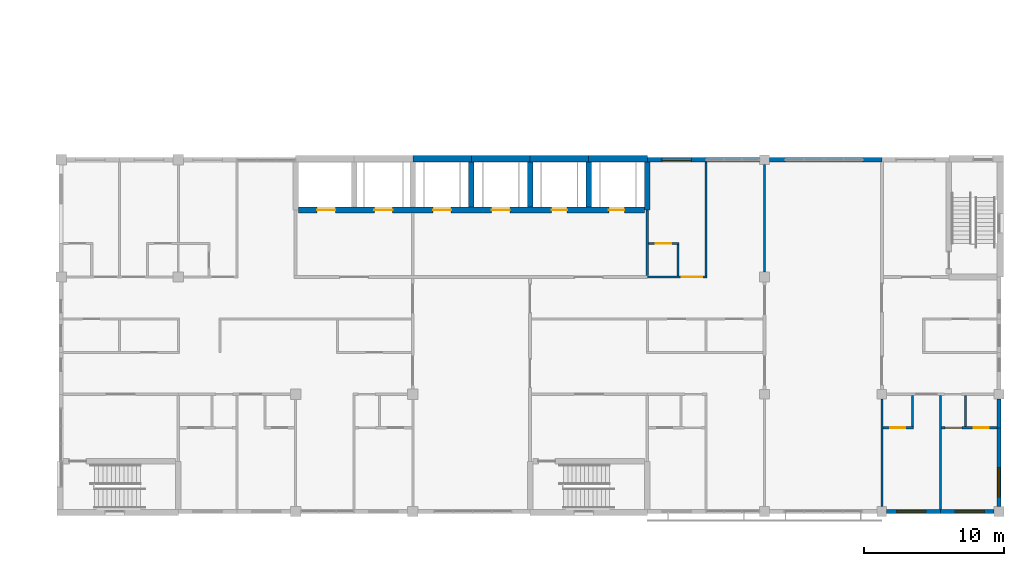
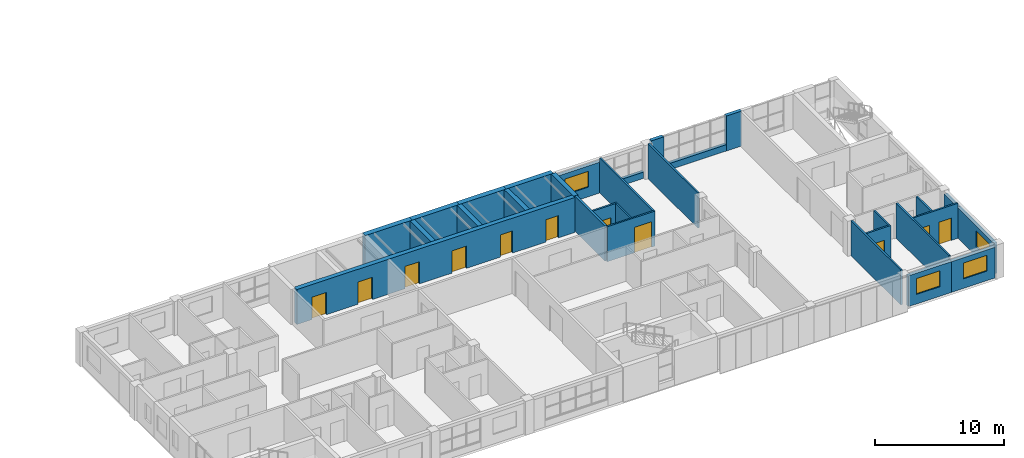
# One storey, part 39 of 48: 30 walls, 11 doors, 4 windows, 15 openings.
"""IFC4 building model written with IfcOpenShell, lengths in metres."""

from ifc_helpers import new_model, si_unit, direction, frame, frame_2d, origin, place, context, subcontext, project, spatial, rectangle, extrude, material, layer, layer_set, type_object, element, fill, save


model = new_model("IFC4")

# Units and contexts
model_context = context("Model", 3, precision=1e-05, world=origin(), true_north=direction((0.0, 1.0)))
body_context = subcontext(model_context, "Body", "Model", "MODEL_VIEW")
ifc_project = project(units=[si_unit("LENGTHUNIT", "METRE"), si_unit("AREAUNIT", "SQUARE_METRE"), si_unit("VOLUMEUNIT", "CUBIC_METRE"), si_unit("PLANEANGLEUNIT", "RADIAN"), si_unit("MASSUNIT", "GRAM", prefix="KILO")], contexts=[model_context])

# Site, building, storey
site_placement = place(None, origin())
site = spatial("IfcSite", under=ifc_project, at=site_placement, CompositionType="ELEMENT")
building_placement = place(site_placement, origin())
building = spatial("IfcBuilding", under=site, at=building_placement, Name="Yavir Park General Hospital", CompositionType="ELEMENT")
storey_placement = place(building_placement, frame((0.0, 0.0, 26.10009765625)))
storey = spatial("IfcBuildingStorey", under=building, at=storey_placement, Name="L06", CompositionType="ELEMENT", Elevation=26.10009765625)

# Wall
ifc_material_1 = material(Name="Double gypsum board fire partition on steel studs", Category="steel")
ifc_layer_1 = layer(ifc_material_1, 0.199951171875)
ifc_layer_set_1 = layer_set([ifc_layer_1], Name="Double gypsum board fire partition on steel studs")
wall_type_1 = type_object("IfcWallType", Name="Fire-rated partition 200, EI 60", PredefinedType="PARTITIONING", material=ifc_layer_set_1)
wall_1_placement = place(storey_placement, frame((142.800048828125, 16.89990234375, 0.0), z_axis=(0.0, 0.0, 1.0), x_axis=(0.0, 1.0, 0.0)))
element("IfcWall", 1, at=wall_1_placement, inside=storey, type_object=wall_type_1, Name="FP20 L06-243", PredefinedType="PARTITIONING", context=body_context, shape_type="SweptSolid", body=[
    extrude(rectangle(XDim=4.7001953125, YDim=0.199951171875, at=frame_2d((2.35009765625, 0.0))), origin(), (0.0, 0.0, 1.0), 3.2998046875),
])

# Wall, opening, door
ifc_material_2 = material(Name="Gypsum board partition on steel studs", Category="steel")
ifc_layer_2 = layer(ifc_material_2, 0.14990234375)
ifc_layer_set_2 = layer_set([ifc_layer_2], Name="Gypsum board partition on steel studs")
wall_type_2 = type_object("IfcWallType", Name="Gypsum board partition 150", PredefinedType="PARTITIONING", material=ifc_layer_set_2)
wall_2_placement = place(storey_placement, frame((159.675048828125, 6.0, 0.0), z_axis=(0.0, 0.0, 1.0), x_axis=(1.0, 0.0, 0.0)))
wall_2 = element("IfcWall", 2, at=wall_2_placement, inside=storey, type_object=wall_type_2, Name="P15 L06-012", PredefinedType="PARTITIONING", context=body_context, shape_type="SweptSolid", body=[
    extrude(rectangle(XDim=2.199951171875, YDim=0.14990234375, at=frame_2d((1.10009765625, 0.0))), origin(), (0.0, 0.0, 1.0), 3.2998046875),
])
opening_1_placement = place(wall_2_placement, frame((0.512451171875, 0.0, 0.0)))
opening_1 = element("IfcOpeningElement", 3, at=opening_1_placement, cuts=wall_2, Name="Opening L06.D016", PredefinedType="OPENING", context=body_context, shape_type="SweptSolid", body=[
    extrude(rectangle(XDim=1.10009765625, YDim=2.10009765625, at=frame_2d((0.550048828125, 1.050048828125))), frame((0.0, 0.0849609375, 0.0), z_axis=(0.0, -1.0, 0.0), x_axis=(1.0, 0.0, 0.0)), (0.0, 0.0, 1.0), 0.169921875),
])
ifc_material_3 = material(Name="Hollow metal frame, solid-core timber leaf", Category="wood")
door_type_1 = type_object("IfcDoorType", Name="Single swing door 1100 x 2100", OperationType="SINGLE_SWING_LEFT", PredefinedType="DOOR", material=ifc_material_3)
door_1_placement = place(opening_1_placement, origin())
door_1 = element("IfcDoor", 4, at=door_1_placement, inside=storey, type_object=door_type_1, Name="L06.D016", OperationType="SINGLE_SWING_LEFT", OverallHeight=2.10009765625, OverallWidth=1.10009765625, PredefinedType="DOOR", context=body_context, shape_type="SweptSolid", body=[
    extrude(rectangle(XDim=1.10009765625, YDim=2.10009765625, at=frame_2d((0.550048828125, 1.050048828125))), frame((0.0, 0.02490234375, 0.0), z_axis=(0.0, -1.0, 0.0), x_axis=(1.0, 0.0, 0.0)), (0.0, 0.0, 1.0), 0.050048828125),
])
fill(opening_1, door_1)

# Wall, openings, doors
wall_3_placement = place(storey_placement, frame((163.875, 6.0, 0.0), z_axis=(0.0, 0.0, 1.0), x_axis=(1.0, 0.0, 0.0)))
wall_3 = element("IfcWall", 5, at=wall_3_placement, inside=storey, type_object=wall_type_2, Name="P15 L06-013", PredefinedType="PARTITIONING", context=body_context, shape_type="SweptSolid", body=[
    extrude(rectangle(XDim=3.97509765625, YDim=0.14990234375, at=frame_2d((1.987548828125, 0.0))), origin(), (0.0, 0.0, 1.0), 3.2998046875),
])
opening_2_placement = place(wall_3_placement, frame((0.262451171875, 0.0, 0.0)))
opening_2 = element("IfcOpeningElement", 6, at=opening_2_placement, cuts=wall_3, Name="Opening L06.D017", PredefinedType="OPENING", context=body_context, shape_type="SweptSolid", body=[
    extrude(rectangle(XDim=1.199951171875, YDim=2.10009765625, at=frame_2d((0.60009765625, 1.050048828125))), frame((0.0, 0.0849609375, 0.0), z_axis=(0.0, -1.0, 0.0), x_axis=(1.0, 0.0, 0.0)), (0.0, 0.0, 1.0), 0.169921875),
])
opening_3_placement = place(wall_3_placement, frame((2.300048828125, 0.0, 0.0)))
opening_3 = element("IfcOpeningElement", 7, at=opening_3_placement, cuts=wall_3, Name="Opening L06.D018", PredefinedType="OPENING", context=body_context, shape_type="SweptSolid", body=[
    extrude(rectangle(XDim=1.10009765625, YDim=2.10009765625, at=frame_2d((0.550048828125, 1.050048828125))), frame((0.0, 0.0849609375, 0.0), z_axis=(0.0, -1.0, 0.0), x_axis=(1.0, 0.0, 0.0)), (0.0, 0.0, 1.0), 0.169921875),
])
ifc_material_4 = material(Name="Sealed steel door leaf, compression seals", Category="steel")
door_type_2 = type_object("IfcDoorType", Name="Isolation airlock door 1200 x 2100", OperationType="SINGLE_SWING_LEFT", PredefinedType="DOOR", material=ifc_material_4)
door_2_placement = place(opening_2_placement, origin())
door_2 = element("IfcDoor", 8, at=door_2_placement, inside=storey, type_object=door_type_2, Name="L06.D017", OperationType="SINGLE_SWING_LEFT", OverallHeight=2.10009765625, OverallWidth=1.199951171875, PredefinedType="DOOR", context=body_context, shape_type="SweptSolid", body=[
    extrude(rectangle(XDim=1.199951171875, YDim=2.10009765625, at=frame_2d((0.60009765625, 1.050048828125))), frame((0.0, 0.050048828125, 0.0), z_axis=(0.0, -1.0, 0.0), x_axis=(1.0, 0.0, 0.0)), (0.0, 0.0, 1.0), 0.10009765625),
])
fill(opening_2, door_2)
door_3_placement = place(opening_3_placement, origin())
door_3 = element("IfcDoor", 9, at=door_3_placement, inside=storey, type_object=door_type_1, Name="L06.D018", OperationType="SINGLE_SWING_RIGHT", OverallHeight=2.10009765625, OverallWidth=1.10009765625, PredefinedType="DOOR", context=body_context, shape_type="SweptSolid", body=[
    extrude(rectangle(XDim=1.10009765625, YDim=2.10009765625, at=frame_2d((0.550048828125, 1.050048828125))), frame((0.0, 0.02490234375, 0.0), z_axis=(0.0, -1.0, 0.0), x_axis=(1.0, 0.0, 0.0)), (0.0, 0.0, 1.0), 0.050048828125),
])
fill(opening_3, door_3)

# Wall, opening, door
wall_4_placement = place(storey_placement, frame((142.800048828125, 16.800048828125, 0.0), z_axis=(0.0, 0.0, 1.0), x_axis=(1.0, 0.0, 0.0)))
wall_4 = element("IfcWall", 10, at=wall_4_placement, inside=storey, type_object=wall_type_2, Name="P15 L06-045", PredefinedType="PARTITIONING", context=body_context, shape_type="SweptSolid", body=[
    extrude(rectangle(XDim=4.27490234375, YDim=0.14990234375, at=frame_2d((2.137451171875, 0.0))), origin(), (0.0, 0.0, 1.0), 3.2998046875),
])
opening_4_placement = place(wall_4_placement, frame((2.449951171875, 0.0, 0.0)))
opening_4 = element("IfcOpeningElement", 11, at=opening_4_placement, cuts=wall_4, Name="Opening L06.D050", PredefinedType="OPENING", context=body_context, shape_type="SweptSolid", body=[
    extrude(rectangle(XDim=1.5, YDim=2.39990234375, at=frame_2d((0.75, 1.199951171875))), frame((0.0, 0.0849609375, 0.0), z_axis=(0.0, -1.0, 0.0), x_axis=(1.0, 0.0, 0.0)), (0.0, 0.0, 1.0), 0.169921875),
])
ifc_material_5 = material(Name="Solid-core timber leaves, push plates, kick plates", Category="wood")
door_type_3 = type_object("IfcDoorType", Name="Bed door, unequal leaves 1500 x 2400", OperationType="DOUBLE_DOOR_SINGLE_SWING", PredefinedType="DOOR", material=ifc_material_5)
door_4_placement = place(opening_4_placement, origin())
door_4 = element("IfcDoor", 12, at=door_4_placement, inside=storey, type_object=door_type_3, Name="L06.D050", OperationType="SINGLE_SWING_RIGHT", OverallHeight=2.39990234375, OverallWidth=1.5, PredefinedType="DOOR", context=body_context, shape_type="SweptSolid", body=[
    extrude(rectangle(XDim=1.5, YDim=2.39990234375, at=frame_2d((0.75, 1.199951171875))), frame((0.0, 0.030029296875, 0.0), z_axis=(0.0, -1.0, 0.0), x_axis=(1.0, 0.0, 0.0)), (0.0, 0.0, 1.0), 0.06005859375),
])
fill(opening_4, door_4)

wall_5_placement = place(storey_placement, frame((142.89990234375, 19.199951171875, 0.0), z_axis=(0.0, 0.0, 1.0), x_axis=(1.0, 0.0, 0.0)))
wall_5 = element("IfcWall", 13, at=wall_5_placement, inside=storey, type_object=wall_type_2, Name="P15 L06-052", PredefinedType="PARTITIONING", context=body_context, shape_type="SweptSolid", body=[
    extrude(rectangle(XDim=2.175048828125, YDim=0.14990234375, at=frame_2d((1.08740234375, 0.0))), origin(), (0.0, 0.0, 1.0), 3.2998046875),
])
opening_5_placement = place(wall_5_placement, frame((0.5, 0.0, 0.0)))
opening_5 = element("IfcOpeningElement", 14, at=opening_5_placement, cuts=wall_5, Name="Opening L06.D056", PredefinedType="OPENING", context=body_context, shape_type="SweptSolid", body=[
    extrude(rectangle(XDim=1.10009765625, YDim=2.10009765625, at=frame_2d((0.550048828125, 1.050048828125))), frame((0.0, 0.0849609375, 0.0), z_axis=(0.0, -1.0, 0.0), x_axis=(1.0, 0.0, 0.0)), (0.0, 0.0, 1.0), 0.169921875),
])
door_5_placement = place(opening_5_placement, origin())
door_5 = element("IfcDoor", 15, at=door_5_placement, inside=storey, type_object=door_type_1, Name="L06.D056", OperationType="SINGLE_SWING_RIGHT", OverallHeight=2.10009765625, OverallWidth=1.10009765625, PredefinedType="DOOR", context=body_context, shape_type="SweptSolid", body=[
    extrude(rectangle(XDim=1.10009765625, YDim=2.10009765625, at=frame_2d((0.550048828125, 1.050048828125))), frame((0.0, 0.02490234375, 0.0), z_axis=(0.0, -1.0, 0.0), x_axis=(1.0, 0.0, 0.0)), (0.0, 0.0, 1.0), 0.050048828125),
])
fill(opening_5, door_5)

# Walls
wall_6_placement = place(storey_placement, frame((145.0, 16.875, 0.0), z_axis=(0.0, 0.0, 1.0), x_axis=(0.0, 1.0, 0.0)))
element("IfcWall", 16, at=wall_6_placement, inside=storey, type_object=wall_type_2, Name="P15 L06-245", PredefinedType="PARTITIONING", context=body_context, shape_type="SweptSolid", body=[
    extrude(rectangle(XDim=2.25, YDim=0.14990234375, at=frame_2d((1.125, 0.0))), origin(), (0.0, 0.0, 1.0), 3.2998046875),
])
wall_7_placement = place(storey_placement, frame((147.0, 16.875, 0.0), z_axis=(0.0, 0.0, 1.0), x_axis=(0.0, 1.0, 0.0)))
element("IfcWall", 17, at=wall_7_placement, inside=storey, type_object=wall_type_2, Name="P15 L06-249", PredefinedType="PARTITIONING", context=body_context, shape_type="SweptSolid", body=[
    extrude(rectangle(XDim=8.175048828125, YDim=0.14990234375, at=frame_2d((4.08740234375, 0.0))), origin(), (0.0, 0.0, 1.0), 3.2998046875),
])
wall_8_placement = place(storey_placement, frame((151.199951171875, 17.14990234375, 0.0), z_axis=(0.0, 0.0, 1.0), x_axis=(0.0, 1.0, 0.0)))
element("IfcWall", 18, at=wall_8_placement, inside=storey, type_object=wall_type_2, Name="P15 L06-252", PredefinedType="PARTITIONING", context=body_context, shape_type="SweptSolid", body=[
    extrude(rectangle(XDim=7.7001953125, YDim=0.14990234375, at=frame_2d((3.85009765625, 0.0))), origin(), (0.0, 0.0, 1.0), 3.2998046875),
])
wall_9_placement = place(storey_placement, frame((159.60009765625, 0.35009765625, 0.0), z_axis=(0.0, 0.0, 1.0), x_axis=(0.0, 1.0, 0.0)))
element("IfcWall", 19, at=wall_9_placement, inside=storey, type_object=wall_type_2, Name="P15 L06-253", PredefinedType="PARTITIONING", context=body_context, shape_type="SweptSolid", body=[
    extrude(rectangle(XDim=7.699951171875, YDim=0.14990234375, at=frame_2d((3.85009765625, 0.0))), origin(), (0.0, 0.0, 1.0), 3.2998046875),
])
wall_10_placement = place(storey_placement, frame((161.800048828125, 6.074951171875, 0.0), z_axis=(0.0, 0.0, 1.0), x_axis=(0.0, 1.0, 0.0)))
element("IfcWall", 20, at=wall_10_placement, inside=storey, type_object=wall_type_2, Name="P15 L06-255", PredefinedType="PARTITIONING", context=body_context, shape_type="SweptSolid", body=[
    extrude(rectangle(XDim=2.25, YDim=0.14990234375, at=frame_2d((1.125, 0.0))), origin(), (0.0, 0.0, 1.0), 3.2998046875),
])
wall_11_placement = place(storey_placement, frame((163.800048828125, 0.14990234375, 0.0), z_axis=(0.0, 0.0, 1.0), x_axis=(0.0, 1.0, 0.0)))
element("IfcWall", 21, at=wall_11_placement, inside=storey, type_object=wall_type_2, Name="P15 L06-257", PredefinedType="PARTITIONING", context=body_context, shape_type="SweptSolid", body=[
    extrude(rectangle(XDim=8.175048828125, YDim=0.14990234375, at=frame_2d((4.08740234375, 0.0))), origin(), (0.0, 0.0, 1.0), 3.2998046875),
])
wall_12_placement = place(storey_placement, frame((165.60009765625, 6.074951171875, 0.0), z_axis=(0.0, 0.0, 1.0), x_axis=(0.0, 1.0, 0.0)))
element("IfcWall", 22, at=wall_12_placement, inside=storey, type_object=wall_type_2, Name="P15 L06-259", PredefinedType="PARTITIONING", context=body_context, shape_type="SweptSolid", body=[
    extrude(rectangle(XDim=2.25, YDim=0.14990234375, at=frame_2d((1.125, 0.0))), origin(), (0.0, 0.0, 1.0), 3.2998046875),
])

# Wall, opening, window
ifc_material_6 = material(Name="Autoclaved aerated block, mineral wool and ochre mineral render")
ifc_layer_3 = layer(ifc_material_6, 0.300048828125)
ifc_layer_set_3 = layer_set([ifc_layer_3], Name="Autoclaved aerated block, mineral wool and ochre mineral render")
wall_type_3 = type_object("IfcWallType", Name="Ochre render ward wall 300, E 30", PredefinedType="SOLIDWALL", material=ifc_layer_set_3)
wall_13_placement = place(storey_placement, frame((159.949951171875, 0.0, 0.0), z_axis=(0.0, 0.0, 1.0), x_axis=(1.0, 0.0, 0.0)))
wall_13 = element("IfcWall", 23, at=wall_13_placement, inside=storey, type_object=wall_type_3, Name="XW7 L06-031", PredefinedType="SOLIDWALL", context=body_context, shape_type="SweptSolid", body=[
    extrude(rectangle(XDim=3.85009765625, YDim=0.300048828125, at=frame_2d((1.925048828125, 0.0))), origin(), (0.0, 0.0, 1.0), 2.89990234375),
])
opening_6_placement = place(wall_13_placement, frame((0.699951171875, 0.0, 0.89990234375)))
opening_6 = element("IfcOpeningElement", 24, at=opening_6_placement, cuts=wall_13, Name="Opening WAR", PredefinedType="OPENING", context=body_context, shape_type="SweptSolid", body=[
    extrude(rectangle(XDim=2.10009765625, YDim=1.5, at=frame_2d((1.050048828125, 0.75))), frame((0.0, 0.159912109375, 0.0), z_axis=(0.0, -1.0, 0.0), x_axis=(1.0, 0.0, 0.0)), (0.0, 0.0, 1.0), 0.320068359375),
])
ifc_material_7 = material(Name="Aluminium frame, tilt-and-turn sash with opening restrictor, double glazed unit", Category="aluminium")
window_type_1 = type_object("IfcWindowType", Name="Ward window, restricted opening 2100 x 1500", PartitioningType="DOUBLE_PANEL_VERTICAL", PredefinedType="WINDOW", material=ifc_material_7)
window_1_placement = place(opening_6_placement, origin())
window_1 = element("IfcWindow", 25, at=window_1_placement, inside=storey, type_object=window_type_1, Name="WAR L06-010", OverallHeight=1.5, OverallWidth=2.10009765625, PartitioningType="DOUBLE_PANEL_VERTICAL", PredefinedType="WINDOW", context=body_context, shape_type="SweptSolid", body=[
    extrude(rectangle(XDim=2.10009765625, YDim=1.5, at=frame_2d((1.050048828125, 0.75))), frame((0.0, 0.050048828125, 0.0), z_axis=(0.0, -1.0, 0.0), x_axis=(1.0, 0.0, 0.0)), (0.0, 0.0, 1.0), 0.10009765625),
])
fill(opening_6, window_1)

wall_14_placement = place(storey_placement, frame((163.800048828125, 0.0, 0.0), z_axis=(0.0, 0.0, 1.0), x_axis=(1.0, 0.0, 0.0)))
wall_14 = element("IfcWall", 26, at=wall_14_placement, inside=storey, type_object=wall_type_3, Name="XW7 L06-032", PredefinedType="SOLIDWALL", context=body_context, shape_type="SweptSolid", body=[
    extrude(rectangle(XDim=3.849853515625, YDim=0.300048828125, at=frame_2d((1.9248046875, 0.0))), origin(), (0.0, 0.0, 1.0), 2.89990234375),
])
opening_7_placement = place(wall_14_placement, frame((1.050048828125, 0.0, 0.89990234375)))
opening_7 = element("IfcOpeningElement", 27, at=opening_7_placement, cuts=wall_14, Name="Opening WI", PredefinedType="OPENING", context=body_context, shape_type="SweptSolid", body=[
    extrude(rectangle(XDim=2.10009765625, YDim=1.5, at=frame_2d((1.050048828125, 0.75))), frame((0.0, 0.159912109375, 0.0), z_axis=(0.0, -1.0, 0.0), x_axis=(1.0, 0.0, 0.0)), (0.0, 0.0, 1.0), 0.320068359375),
])
ifc_material_8 = material(Name="Aluminium frame, acoustic glazed unit", Category="aluminium")
window_type_2 = type_object("IfcWindowType", Name="Acoustic glazed window 2100 x 1500", PartitioningType="SINGLE_PANEL", PredefinedType="WINDOW", material=ifc_material_8)
window_2_placement = place(opening_7_placement, origin())
window_2 = element("IfcWindow", 28, at=window_2_placement, inside=storey, type_object=window_type_2, Name="WI L06-011", OverallHeight=1.5, OverallWidth=2.10009765625, PartitioningType="SINGLE_PANEL", PredefinedType="WINDOW", context=body_context, shape_type="SweptSolid", body=[
    extrude(rectangle(XDim=2.10009765625, YDim=1.5, at=frame_2d((1.050048828125, 0.75))), frame((0.0, 0.044921875, 0.0), z_axis=(0.0, -1.0, 0.0), x_axis=(1.0, 0.0, 0.0)), (0.0, 0.0, 1.0), 0.090087890625),
])
fill(opening_7, window_2)

wall_15_placement = place(storey_placement, frame((142.800048828125, 25.199951171875, 0.0), z_axis=(0.0, 0.0, 1.0), x_axis=(1.0, 0.0, 0.0)))
wall_15 = element("IfcWall", 29, at=wall_15_placement, inside=storey, type_object=wall_type_3, Name="XW7 L06-048", PredefinedType="SOLIDWALL", context=body_context, shape_type="SweptSolid", body=[
    extrude(rectangle(XDim=4.199951171875, YDim=0.300048828125, at=frame_2d((2.10009765625, 0.0))), origin(), (0.0, 0.0, 1.0), 2.89990234375),
])
opening_8_placement = place(wall_15_placement, frame((1.050048828125, 0.0, 0.89990234375)))
opening_8 = element("IfcOpeningElement", 30, at=opening_8_placement, cuts=wall_15, Name="Opening WAR", PredefinedType="OPENING", context=body_context, shape_type="SweptSolid", body=[
    extrude(rectangle(XDim=2.10009765625, YDim=1.5, at=frame_2d((1.050048828125, 0.75))), frame((0.0, 0.159912109375, 0.0), z_axis=(0.0, -1.0, 0.0), x_axis=(1.0, 0.0, 0.0)), (0.0, 0.0, 1.0), 0.320068359375),
])
window_3_placement = place(opening_8_placement, origin())
window_3 = element("IfcWindow", 31, at=window_3_placement, inside=storey, type_object=window_type_1, Name="WAR L06-017", OverallHeight=1.5, OverallWidth=2.10009765625, PartitioningType="DOUBLE_PANEL_VERTICAL", PredefinedType="WINDOW", context=body_context, shape_type="SweptSolid", body=[
    extrude(rectangle(XDim=2.10009765625, YDim=1.5, at=frame_2d((1.050048828125, 0.75))), frame((0.0, 0.050048828125, 0.0), z_axis=(0.0, -1.0, 0.0), x_axis=(1.0, 0.0, 0.0)), (0.0, 0.0, 1.0), 0.10009765625),
])
fill(opening_8, window_3)

# Walls
wall_16_placement = place(storey_placement, frame((147.0, 25.199951171875, 0.0), z_axis=(0.0, 0.0, 1.0), x_axis=(1.0, 0.0, 0.0)))
element("IfcWall", 32, at=wall_16_placement, inside=storey, type_object=wall_type_3, Name="XW7 L06-049", PredefinedType="SOLIDWALL", context=body_context, shape_type="SweptSolid", body=[
    extrude(rectangle(XDim=3.85009765625, YDim=0.300048828125, at=frame_2d((1.925048828125, 0.0))), origin(), (0.0, 0.0, 1.0), 0.599853515625),
])
wall_17_placement = place(storey_placement, frame((151.550048828125, 25.199951171875, 0.0), z_axis=(0.0, 0.0, 1.0), x_axis=(1.0, 0.0, 0.0)))
element("IfcWall", 33, at=wall_17_placement, inside=storey, type_object=wall_type_3, Name="XW7 L06-050", PredefinedType="SOLIDWALL", context=body_context, shape_type="SweptSolid", body=[
    extrude(rectangle(XDim=1.099853515625, YDim=0.300048828125, at=frame_2d((0.5498046875, 0.0))), origin(), (0.0, 0.0, 1.0), 3.2998046875),
])
wall_18_placement = place(storey_placement, frame((158.25, 25.199951171875, 0.0), z_axis=(0.0, 0.0, 1.0), x_axis=(1.0, 0.0, 0.0)))
element("IfcWall", 34, at=wall_18_placement, inside=storey, type_object=wall_type_3, Name="XW7 L06-051", PredefinedType="SOLIDWALL", context=body_context, shape_type="SweptSolid", body=[
    extrude(rectangle(XDim=1.35009765625, YDim=0.300048828125, at=frame_2d((0.675048828125, 0.0))), origin(), (0.0, 0.0, 1.0), 3.2998046875),
])
wall_19_placement = place(storey_placement, frame((152.64990234375, 25.199951171875, 0.0), z_axis=(0.0, 0.0, 1.0), x_axis=(1.0, 0.0, 0.0)))
element("IfcWall", 35, at=wall_19_placement, inside=storey, type_object=wall_type_3, Name="XW7 L06-052", PredefinedType="SOLIDWALL", context=body_context, shape_type="SweptSolid", body=[
    extrude(rectangle(XDim=5.60009765625, YDim=0.300048828125, at=frame_2d((2.800048828125, 0.0))), origin(), (0.0, 0.0, 1.0), 0.599853515625),
])

# Wall, opening, window
wall_20_placement = place(storey_placement, frame((168.0, 0.35009765625, 0.0), z_axis=(0.0, 0.0, 1.0), x_axis=(0.0, 1.0, 0.0)))
wall_20 = element("IfcWall", 36, at=wall_20_placement, inside=storey, type_object=wall_type_3, Name="XW7 L06-144", PredefinedType="SOLIDWALL", context=body_context, shape_type="SweptSolid", body=[
    extrude(rectangle(XDim=5.64990234375, YDim=0.300048828125, at=frame_2d((2.824951171875, 0.0))), origin(), (0.0, 0.0, 1.0), 2.89990234375),
])
opening_9_placement = place(wall_20_placement, frame((0.699951171875, 0.0, 0.89990234375)))
opening_9 = element("IfcOpeningElement", 37, at=opening_9_placement, cuts=wall_20, Name="Opening WI", PredefinedType="OPENING", context=body_context, shape_type="SweptSolid", body=[
    extrude(rectangle(XDim=2.10009765625, YDim=1.5, at=frame_2d((1.050048828125, 0.75))), frame((0.0, 0.159912109375, 0.0), z_axis=(0.0, -1.0, 0.0), x_axis=(1.0, 0.0, 0.0)), (0.0, 0.0, 1.0), 0.320068359375),
])
window_4_placement = place(opening_9_placement, origin())
window_4 = element("IfcWindow", 38, at=window_4_placement, inside=storey, type_object=window_type_2, Name="WI L06-063", OverallHeight=1.5, OverallWidth=2.10009765625, PartitioningType="SINGLE_PANEL", PredefinedType="WINDOW", context=body_context, shape_type="SweptSolid", body=[
    extrude(rectangle(XDim=2.10009765625, YDim=1.5, at=frame_2d((1.050048828125, 0.75))), frame((0.0, 0.044921875, 0.0), z_axis=(0.0, -1.0, 0.0), x_axis=(1.0, 0.0, 0.0)), (0.0, 0.0, 1.0), 0.090087890625),
])
fill(opening_9, window_4)

# Wall
wall_21_placement = place(storey_placement, frame((168.0, 6.0, 0.0), z_axis=(0.0, 0.0, 1.0), x_axis=(0.0, 1.0, 0.0)))
element("IfcWall", 39, at=wall_21_placement, inside=storey, type_object=wall_type_3, Name="XW7 L06-145", PredefinedType="SOLIDWALL", context=body_context, shape_type="SweptSolid", body=[
    extrude(rectangle(XDim=2.050048828125, YDim=0.300048828125, at=frame_2d((1.02490234375, 0.0))), origin(), (0.0, 0.0, 1.0), 2.89990234375),
])

# Wall, openings, doors
ifc_material_9 = material(Name="Concrete C35/45", Category="concrete")
ifc_layer_4 = layer(ifc_material_9, 0.39990234375)
ifc_layer_set_4 = layer_set([ifc_layer_4], Name="Concrete C35/45")
wall_type_4 = type_object("IfcWallType", Name="Reinforced concrete core wall 400, REI 150", PredefinedType="SHEAR", material=ifc_layer_set_4)
wall_22_placement = place(storey_placement, frame((117.800048828125, 21.60009765625, 0.0), z_axis=(0.0, 0.0, 1.0), x_axis=(1.0, 0.0, 0.0)))
wall_22 = element("IfcWall", 40, at=wall_22_placement, inside=storey, type_object=wall_type_4, Name="CW40 L06-055", PredefinedType="SHEAR", context=body_context, shape_type="SweptSolid", body=[
    extrude(rectangle(XDim=24.800048828125, YDim=0.39990234375, at=frame_2d((12.39990234375, 0.0))), origin(), (0.0, 0.0, 1.0), 3.2998046875),
])
opening_10_placement = place(wall_22_placement, frame((1.35009765625, 0.0, 0.0)))
opening_10 = element("IfcOpeningElement", 41, at=opening_10_placement, cuts=wall_22, Name="Opening L06.D059", PredefinedType="OPENING", context=body_context, shape_type="SweptSolid", body=[
    extrude(rectangle(XDim=1.300048828125, YDim=2.10009765625, at=frame_2d((0.64990234375, 1.050048828125))), frame((0.0, 0.2099609375, 0.0), z_axis=(0.0, -1.0, 0.0), x_axis=(1.0, 0.0, 0.0)), (0.0, 0.0, 1.0), 0.419921875),
])
opening_11_placement = place(wall_22_placement, frame((5.449951171875, 0.0, 0.0)))
opening_11 = element("IfcOpeningElement", 42, at=opening_11_placement, cuts=wall_22, Name="Opening L06.D060", PredefinedType="OPENING", context=body_context, shape_type="SweptSolid", body=[
    extrude(rectangle(XDim=1.300048828125, YDim=2.10009765625, at=frame_2d((0.64990234375, 1.050048828125))), frame((0.0, 0.2099609375, 0.0), z_axis=(0.0, -1.0, 0.0), x_axis=(1.0, 0.0, 0.0)), (0.0, 0.0, 1.0), 0.419921875),
])
opening_12_placement = place(wall_22_placement, frame((9.64990234375, 0.0, 0.0)))
opening_12 = element("IfcOpeningElement", 43, at=opening_12_placement, cuts=wall_22, Name="Opening L06.D061", PredefinedType="OPENING", context=body_context, shape_type="SweptSolid", body=[
    extrude(rectangle(XDim=1.300048828125, YDim=2.10009765625, at=frame_2d((0.64990234375, 1.050048828125))), frame((0.0, 0.2099609375, 0.0), z_axis=(0.0, -1.0, 0.0), x_axis=(1.0, 0.0, 0.0)), (0.0, 0.0, 1.0), 0.419921875),
])
opening_13_placement = place(wall_22_placement, frame((13.85009765625, 0.0, 0.0)))
opening_13 = element("IfcOpeningElement", 44, at=opening_13_placement, cuts=wall_22, Name="Opening L06.D062", PredefinedType="OPENING", context=body_context, shape_type="SweptSolid", body=[
    extrude(rectangle(XDim=1.300048828125, YDim=2.10009765625, at=frame_2d((0.64990234375, 1.050048828125))), frame((0.0, 0.2099609375, 0.0), z_axis=(0.0, -1.0, 0.0), x_axis=(1.0, 0.0, 0.0)), (0.0, 0.0, 1.0), 0.419921875),
])
opening_14_placement = place(wall_22_placement, frame((18.14990234375, 0.0, 0.0)))
opening_14 = element("IfcOpeningElement", 45, at=opening_14_placement, cuts=wall_22, Name="Opening L06.D063", PredefinedType="OPENING", context=body_context, shape_type="SweptSolid", body=[
    extrude(rectangle(XDim=1.10009765625, YDim=2.10009765625, at=frame_2d((0.550048828125, 1.050048828125))), frame((0.0, 0.2099609375, 0.0), z_axis=(0.0, -1.0, 0.0), x_axis=(1.0, 0.0, 0.0)), (0.0, 0.0, 1.0), 0.419921875),
])
opening_15_placement = place(wall_22_placement, frame((22.25, 0.0, 0.0)))
opening_15 = element("IfcOpeningElement", 46, at=opening_15_placement, cuts=wall_22, Name="Opening L06.D064", PredefinedType="OPENING", context=body_context, shape_type="SweptSolid", body=[
    extrude(rectangle(XDim=1.10009765625, YDim=2.10009765625, at=frame_2d((0.550048828125, 1.050048828125))), frame((0.0, 0.2099609375, 0.0), z_axis=(0.0, -1.0, 0.0), x_axis=(1.0, 0.0, 0.0)), (0.0, 0.0, 1.0), 0.419921875),
])
ifc_material_10 = material(Name="Stainless steel landing door panels", Category="steel")
door_type_4 = type_object("IfcDoorType", Name="Lift landing door 1100 x 2100, EI 60", OperationType="SLIDING_TO_LEFT", PredefinedType="DOOR", material=ifc_material_10)
door_6_placement = place(opening_14_placement, origin())
door_6 = element("IfcDoor", 47, at=door_6_placement, inside=storey, type_object=door_type_4, Name="L06.D063", OperationType="SLIDING_TO_LEFT", OverallHeight=2.10009765625, OverallWidth=1.10009765625, PredefinedType="DOOR", context=body_context, shape_type="SweptSolid", body=[
    extrude(rectangle(XDim=1.10009765625, YDim=2.10009765625, at=frame_2d((0.550048828125, 1.050048828125))), frame((0.0, 0.02490234375, 0.0), z_axis=(0.0, -1.0, 0.0), x_axis=(1.0, 0.0, 0.0)), (0.0, 0.0, 1.0), 0.050048828125),
])
fill(opening_14, door_6)
door_7_placement = place(opening_15_placement, origin())
door_7 = element("IfcDoor", 48, at=door_7_placement, inside=storey, type_object=door_type_4, Name="L06.D064", OperationType="SLIDING_TO_LEFT", OverallHeight=2.10009765625, OverallWidth=1.10009765625, PredefinedType="DOOR", context=body_context, shape_type="SweptSolid", body=[
    extrude(rectangle(XDim=1.10009765625, YDim=2.10009765625, at=frame_2d((0.550048828125, 1.050048828125))), frame((0.0, 0.02490234375, 0.0), z_axis=(0.0, -1.0, 0.0), x_axis=(1.0, 0.0, 0.0)), (0.0, 0.0, 1.0), 0.050048828125),
])
fill(opening_15, door_7)
ifc_material_11 = material(Name="Stainless steel landing door panels", Category="steel")
door_type_5 = type_object("IfcDoorType", Name="Lift landing door 1300 x 2100, EI 60", OperationType="SLIDING_TO_LEFT", PredefinedType="DOOR", material=ifc_material_11)
door_8_placement = place(opening_10_placement, origin())
door_8 = element("IfcDoor", 49, at=door_8_placement, inside=storey, type_object=door_type_5, Name="L06.D059", OperationType="SLIDING_TO_LEFT", OverallHeight=2.10009765625, OverallWidth=1.300048828125, PredefinedType="DOOR", context=body_context, shape_type="SweptSolid", body=[
    extrude(rectangle(XDim=1.300048828125, YDim=2.10009765625, at=frame_2d((0.64990234375, 1.050048828125))), frame((0.0, 0.02490234375, 0.0), z_axis=(0.0, -1.0, 0.0), x_axis=(1.0, 0.0, 0.0)), (0.0, 0.0, 1.0), 0.050048828125),
])
fill(opening_10, door_8)
door_9_placement = place(opening_11_placement, origin())
door_9 = element("IfcDoor", 50, at=door_9_placement, inside=storey, type_object=door_type_5, Name="L06.D060", OperationType="SLIDING_TO_LEFT", OverallHeight=2.10009765625, OverallWidth=1.300048828125, PredefinedType="DOOR", context=body_context, shape_type="SweptSolid", body=[
    extrude(rectangle(XDim=1.300048828125, YDim=2.10009765625, at=frame_2d((0.64990234375, 1.050048828125))), frame((0.0, 0.02490234375, 0.0), z_axis=(0.0, -1.0, 0.0), x_axis=(1.0, 0.0, 0.0)), (0.0, 0.0, 1.0), 0.050048828125),
])
fill(opening_11, door_9)
door_10_placement = place(opening_12_placement, origin())
door_10 = element("IfcDoor", 51, at=door_10_placement, inside=storey, type_object=door_type_5, Name="L06.D061", OperationType="SLIDING_TO_LEFT", OverallHeight=2.10009765625, OverallWidth=1.300048828125, PredefinedType="DOOR", context=body_context, shape_type="SweptSolid", body=[
    extrude(rectangle(XDim=1.300048828125, YDim=2.10009765625, at=frame_2d((0.64990234375, 1.050048828125))), frame((0.0, 0.02490234375, 0.0), z_axis=(0.0, -1.0, 0.0), x_axis=(1.0, 0.0, 0.0)), (0.0, 0.0, 1.0), 0.050048828125),
])
fill(opening_12, door_10)
door_11_placement = place(opening_13_placement, origin())
door_11 = element("IfcDoor", 52, at=door_11_placement, inside=storey, type_object=door_type_5, Name="L06.D062", OperationType="SLIDING_TO_LEFT", OverallHeight=2.10009765625, OverallWidth=1.300048828125, PredefinedType="DOOR", context=body_context, shape_type="SweptSolid", body=[
    extrude(rectangle(XDim=1.300048828125, YDim=2.10009765625, at=frame_2d((0.64990234375, 1.050048828125))), frame((0.0, 0.02490234375, 0.0), z_axis=(0.0, -1.0, 0.0), x_axis=(1.0, 0.0, 0.0)), (0.0, 0.0, 1.0), 0.050048828125),
])
fill(opening_13, door_11)

# Walls
for number, where, z_axis, x_axis, name in (
    (53, (130.199951171875, 21.800048828125, 0.0), (0.0, 0.0, 1.0), (0.0, 1.0, 0.0), "CW40 L06-235"),
    (54, (134.39990234375, 21.800048828125, 0.0), (0.0, 0.0, 1.0), (0.0, 1.0, 0.0), "CW40 L06-238"),
    (55, (138.60009765625, 21.800048828125, 0.0), (0.0, 0.0, 1.0), (0.0, 1.0, 0.0), "CW40 L06-239"),
):
    element("IfcWall", number, at=place(storey_placement, frame(where, z_axis=z_axis, x_axis=x_axis)), inside=storey, type_object=wall_type_4, Name=name, PredefinedType="SHEAR", context=body_context, shape_type="SweptSolid", body=[
        extrude(rectangle(XDim=3.25, YDim=0.39990234375, at=frame_2d((1.625, 0.0))), origin(), (0.0, 0.0, 1.0), 3.2998046875),
    ])
wall_23_placement = place(storey_placement, frame((142.800048828125, 21.60009765625, 0.0), z_axis=(0.0, 0.0, 1.0), x_axis=(0.0, 1.0, 0.0)))
element("IfcWall", 56, at=wall_23_placement, inside=storey, type_object=wall_type_4, Name="CW40 L06-244", PredefinedType="SHEAR", context=body_context, shape_type="SweptSolid", body=[
    extrude(rectangle(XDim=3.449951171875, YDim=0.39990234375, at=frame_2d((1.72509765625, 0.0))), origin(), (0.0, 0.0, 1.0), 3.2998046875),
])
ifc_material_12 = material(Name="Concrete C30/37 precast panel with 150 mm mineral wool insulation", Category="concrete")
ifc_layer_5 = layer(ifc_material_12, 0.449951171875)
ifc_layer_set_5 = layer_set([ifc_layer_5], Name="Concrete C30/37 precast panel with 150 mm mineral wool insulation")
wall_type_5 = type_object("IfcWallType", Name="Stair enclosure wall 450, REI 150", PredefinedType="SOLIDWALL", material=ifc_layer_set_5)
for number, where, z_axis, x_axis, name in (
    (57, (126.0, 25.27490234375, 0.0), (0.0, 0.0, 1.0), (1.0, 0.0, 0.0), "XW6 L06-044"),
    (58, (130.199951171875, 25.27490234375, 0.0), (0.0, 0.0, 1.0), (1.0, 0.0, 0.0), "XW6 L06-045"),
):
    element("IfcWall", number, at=place(storey_placement, frame(where, z_axis=z_axis, x_axis=x_axis)), inside=storey, type_object=wall_type_5, Name=name, PredefinedType="SOLIDWALL", context=body_context, shape_type="SweptSolid", body=[
        extrude(rectangle(XDim=4.199951171875, YDim=0.449951171875, at=frame_2d((2.10009765625, 0.0))), origin(), (0.0, 0.0, 1.0), 3.2998046875),
    ])
wall_24_placement = place(storey_placement, frame((134.39990234375, 25.27490234375, 0.0), z_axis=(0.0, 0.0, 1.0), x_axis=(1.0, 0.0, 0.0)))
element("IfcWall", 59, at=wall_24_placement, inside=storey, type_object=wall_type_5, Name="XW6 L06-046", PredefinedType="SOLIDWALL", context=body_context, shape_type="SweptSolid", body=[
    extrude(rectangle(XDim=4.2001953125, YDim=0.449951171875, at=frame_2d((2.10009765625, 0.0))), origin(), (0.0, 0.0, 1.0), 3.2998046875),
])
wall_25_placement = place(storey_placement, frame((138.60009765625, 25.27490234375, 0.0), z_axis=(0.0, 0.0, 1.0), x_axis=(1.0, 0.0, 0.0)))
element("IfcWall", 60, at=wall_25_placement, inside=storey, type_object=wall_type_5, Name="XW6 L06-047", PredefinedType="SOLIDWALL", context=body_context, shape_type="SweptSolid", body=[
    extrude(rectangle(XDim=4.199951171875, YDim=0.449951171875, at=frame_2d((2.10009765625, 0.0))), origin(), (0.0, 0.0, 1.0), 3.2998046875),
])

save(model, "model.ifc")
